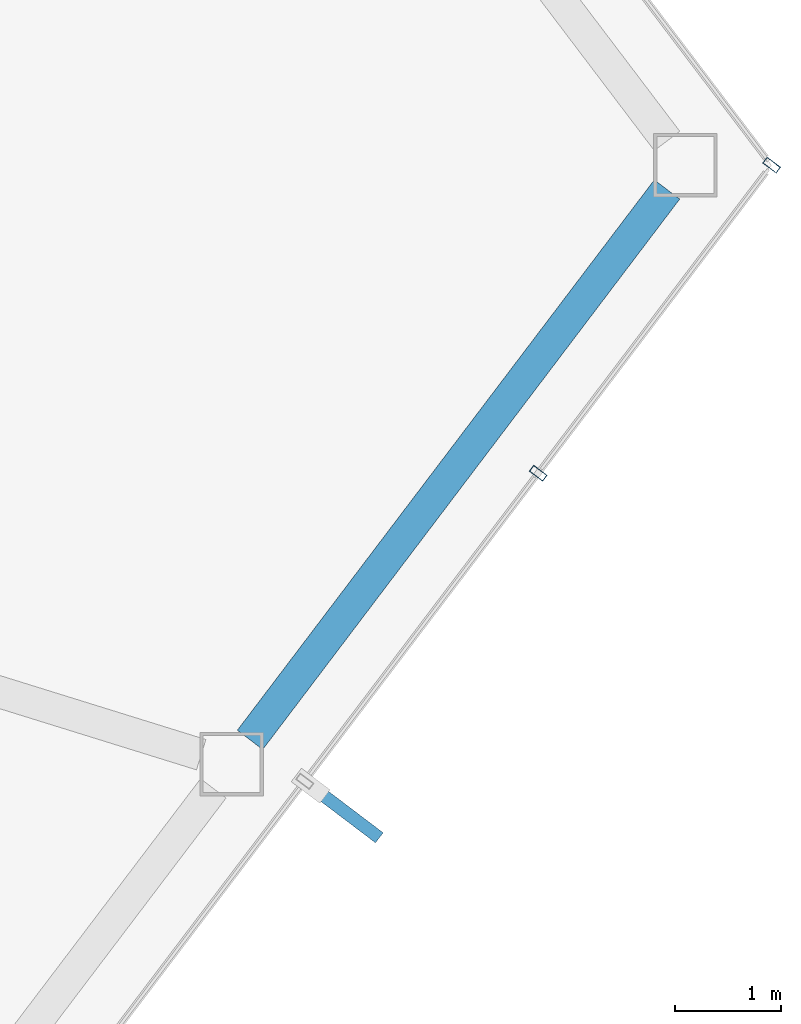
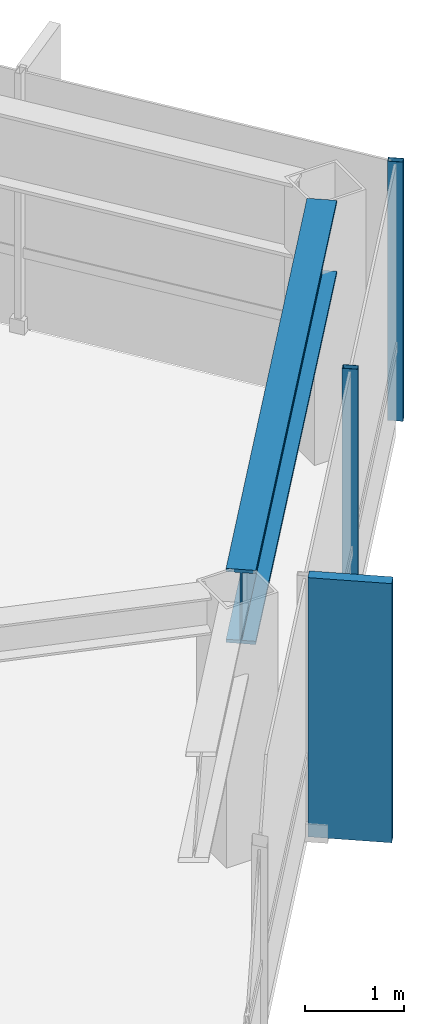
# One storey, part 20 of 27: 3 members, 1 beam, 1 element without a shape of its own.
"""IFC4 building model written with IfcOpenShell, lengths in metres."""

from ifc_helpers import new_model, si_unit, direction, frame, origin, origin_2d, place, context, subcontext, project, spatial, rectangle, hollow_rectangle, i_section, extrude, material, layer, layer_set, material_profile, profile_set, type_object, element, aggregate, save


model = new_model("IFC4")

# Units and contexts
model_context = context("Model", 3, precision=1e-05, world=origin(), true_north=direction((0.0, 1.0)))
body_context = subcontext(model_context, "Body", "Model", "MODEL_VIEW")
ifc_project = project(units=[si_unit("LENGTHUNIT", "METRE"), si_unit("AREAUNIT", "SQUARE_METRE"), si_unit("VOLUMEUNIT", "CUBIC_METRE"), si_unit("PLANEANGLEUNIT", "RADIAN"), si_unit("MASSUNIT", "GRAM", prefix="KILO")], contexts=[model_context])

# Site, building, storey
site_placement = place(None, origin())
site = spatial("IfcSite", under=ifc_project, at=site_placement, CompositionType="ELEMENT")
building_placement = place(site_placement, origin())
building = spatial("IfcBuilding", under=site, at=building_placement, Name="Zarrinselat Tower", CompositionType="ELEMENT")
storey_placement = place(building_placement, frame((0.0, 0.0, 232.56005859375)))
storey = spatial("IfcBuildingStorey", under=building, at=storey_placement, Name="L58", CompositionType="ELEMENT", Elevation=232.56005859375)

# Beam
ifc_material_1 = material(Name="Steel S460M", Category="steel")
ifc_material_profile_1 = material_profile(ifc_material_1, i_section(OverallWidth=0.302001953125, OverallDepth=0.909912109375, WebThickness=0.02099609375, FlangeThickness=0.0400390625, at=origin_2d()), Name="HEM 900")
ifc_profile_set_1 = profile_set([ifc_material_profile_1], Name="Steel S460M")
beam_type = type_object("IfcBeamType", Name="BM-HEM900", PredefinedType="BEAM", material=ifc_profile_set_1)
beam_placement = place(storey_placement, frame((56.91552734375, 36.221435546875, 2.724853515625), z_axis=(0.603889329004, 0.797068176704, 0.0), x_axis=(-0.797068176704, 0.603889329004, 0.0)))
element("IfcBeam", 1, at=beam_placement, inside=storey, type_object=beam_type, Name="L58 Perimeter Spandrel Girder SP14", PredefinedType="BEAM", context=body_context, shape_type="SweptSolid", body=[
    extrude(i_section(OverallWidth=0.302001953125, OverallDepth=0.909912109375, WebThickness=0.02099609375, FlangeThickness=0.0400390625, at=origin_2d()), origin(), (0.0, 0.0, 1.0), 6.536376953125),
])

# Curtain wall, members
ifc_material_2 = material(Name="Extruded Aluminium Alloy EN AW-6063 T6", Category="aluminium")
ifc_layer = layer(ifc_material_2, 0.169921875)
ifc_layer_set = layer_set([ifc_layer], Name="Extruded Aluminium Alloy EN AW-6063 T6")
curtain_wall_type = type_object("IfcCurtainWallType", Name="CWS-RES", PredefinedType="NOTDEFINED", material=ifc_layer_set)
curtain_wall_placement = place(storey_placement, origin())
curtain_wall = element("IfcCurtainWall", 2, at=curtain_wall_placement, inside=storey, type_object=curtain_wall_type, Name="L58 Unitised Curtain Wall CW-L58-E05", PredefinedType="NOTDEFINED")
ifc_material_3 = material(Name="Extruded Aluminium Alloy EN AW-6063 T6", Category="aluminium")
ifc_material_profile_2 = material_profile(ifc_material_3, hollow_rectangle(XDim=0.070068359375, YDim=0.159912109375, WallThickness=0.00390625, at=origin_2d()), Name="RHS 160x70x4")
ifc_profile_set_2 = profile_set([ifc_material_profile_2], Name="Extruded Aluminium Alloy EN AW-6063 T6")
member_type_1 = type_object("IfcMemberType", Name="MEM-CW-MUL2", PredefinedType="MULLION", material=ifc_profile_set_2)
member_1_placement = place(storey_placement, frame((59.64306640625, 38.7451171875, 0.0), z_axis=(0.0, 0.0, 1.0), x_axis=(0.603858872188, 0.797091251037, 0.0)))
member_1 = element("IfcMember", 3, at=member_1_placement, type_object=member_type_1, Name="CW-L58-E05 Mullion 8", PredefinedType="MULLION", context=body_context, shape_type="SweptSolid", body=[
    extrude(hollow_rectangle(XDim=0.070068359375, YDim=0.159912109375, WallThickness=0.00390625, at=origin_2d()), origin(), (0.0, 0.0, 1.0), 3.179931640625),
])
member_2_placement = place(storey_placement, frame((61.85205078125, 41.6611328125, 0.0), z_axis=(0.0, 0.0, 1.0), x_axis=(0.603858872188, 0.797091251037, 0.0)))
member_2 = element("IfcMember", 4, at=member_2_placement, type_object=member_type_1, Name="CW-L58-E05 Mullion 9", PredefinedType="MULLION", context=body_context, shape_type="SweptSolid", body=[
    extrude(hollow_rectangle(XDim=0.070068359375, YDim=0.159912109375, WallThickness=0.00390625, at=origin_2d()), origin(), (0.0, 0.0, 1.0), 3.179931640625),
])
ifc_material_4 = material(Name="Honed Cream Travertine Stone", Category="masonry")
ifc_material_profile_3 = material_profile(ifc_material_4, rectangle(XDim=0.1201171875, YDim=0.85009765625, at=origin_2d()), Name="FIN 850x120")
ifc_profile_set_3 = profile_set([ifc_material_profile_3], Name="Honed Cream Travertine Stone")
member_type_2 = type_object("IfcMemberType", Name="MEM-STONE-FIN", PredefinedType="USERDEFINED", material=ifc_profile_set_3)
member_3_placement = place(storey_placement, frame((57.80078125, 35.551513671875, 0.0), z_axis=(0.0, 0.0, 1.0), x_axis=(-0.603858872188, -0.797091251037, 0.0)))
member_3 = element("IfcMember", 5, at=member_3_placement, type_object=member_type_2, Name="L58 Stone Shading Fin CW-L58-E05-07", ObjectType="FIN", PredefinedType="USERDEFINED", context=body_context, shape_type="SweptSolid", body=[
    extrude(rectangle(XDim=0.1201171875, YDim=0.85009765625, at=origin_2d()), origin(), (0.0, 0.0, 1.0), 3.179931640625),
])
aggregate(curtain_wall, [member_3, member_1, member_2])

save(model, "model.ifc")
